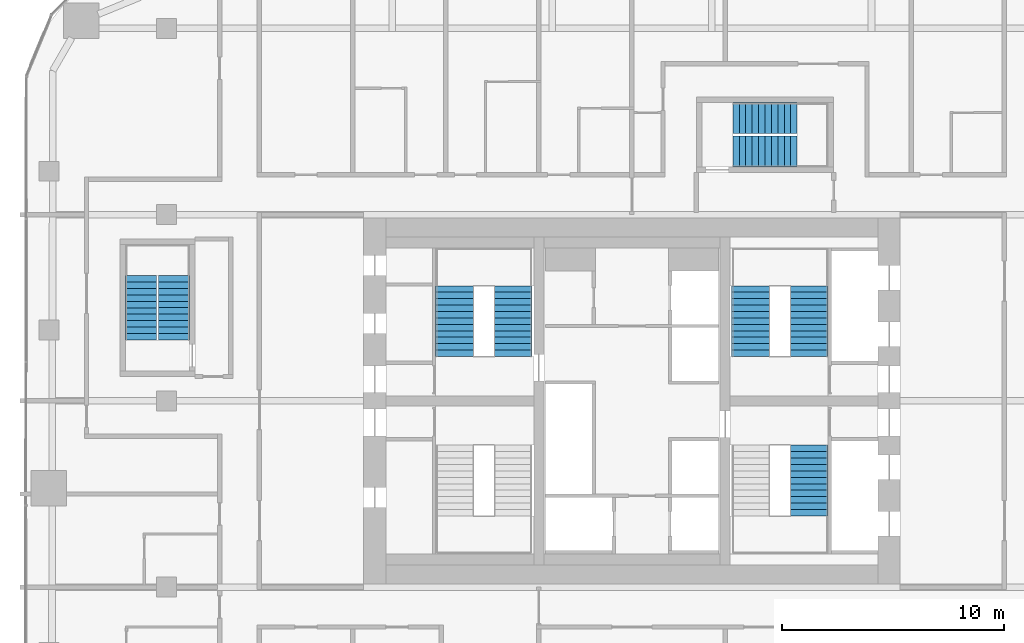
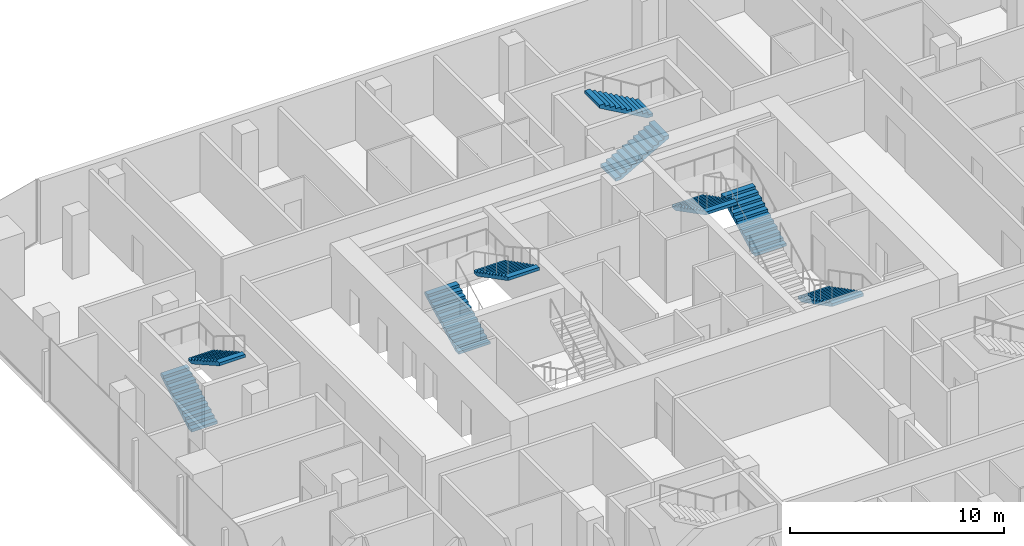
# One storey, part 21 of 23: 9 stair flights, 5 elements without a shape of their own.
"""IFC4 building model written with IfcOpenShell, lengths in metres."""

from ifc_helpers import new_model, si_unit, direction, frame, origin, place, context, subcontext, project, spatial, polyline, outline, extrude, material, type_object, element, aggregate, save


model = new_model("IFC4")

# Units and contexts
model_context = context("Model", 3, precision=1e-05, world=origin(), true_north=direction((0.0, 1.0)))
body_context = subcontext(model_context, "Body", "Model", "MODEL_VIEW")
ifc_project = project(units=[si_unit("LENGTHUNIT", "METRE"), si_unit("AREAUNIT", "SQUARE_METRE"), si_unit("VOLUMEUNIT", "CUBIC_METRE"), si_unit("PLANEANGLEUNIT", "RADIAN"), si_unit("MASSUNIT", "GRAM", prefix="KILO")], contexts=[model_context])

# Site, building, storey
site_placement = place(None, origin())
site = spatial("IfcSite", under=ifc_project, at=site_placement, CompositionType="ELEMENT")
building_placement = place(site_placement, origin())
building = spatial("IfcBuilding", under=site, at=building_placement, Name="Marenta Gate Hotel Tower", CompositionType="ELEMENT")
storey_placement = place(building_placement, frame((0.0, 0.0, 104.89990234375)))
storey = spatial("IfcBuildingStorey", under=building, at=storey_placement, Name="L22", CompositionType="ELEMENT", Elevation=104.89990234375)

# Stair, stair flights
ifc_material_1 = material(Name="Concrete C40", Category="concrete")
stair_type_1 = type_object("IfcStairType", Name="Core exit stair 1700 wide", PredefinedType="HALF_TURN_STAIR", material=ifc_material_1)
stair_1_placement = place(storey_placement, origin())
stair_1 = element("IfcStair", 1, at=stair_1_placement, inside=storey, type_object=stair_type_1, Name="Exit stair 2", PredefinedType="HALF_TURN_STAIR")
ifc_material_2 = material(Name="Concrete C40", Category="concrete")
stair_flight_type_1 = type_object("IfcStairFlightType", Name="Core stair flight 1700 riser 150.0 going 290", PredefinedType="STRAIGHT", material=ifc_material_2)
stair_flight_1_placement = place(storey_placement, frame((-8.0, 10.39990234375, 0.0), z_axis=(0.0, 0.0, 1.0), x_axis=(0.0, 1.0, 0.0)))
stair_flight_1 = element("IfcStairFlight", 2, at=stair_flight_1_placement, type_object=stair_flight_type_1, Name="ST2 flight 1", NumberOfRisers=12, NumberOfTreads=11, PredefinedType="STRAIGHT", RiserHeight=0.15, TreadLength=0.29, context=body_context, shape_type="SweptSolid", body=[
    extrude(outline(polyline([(0.0, 0.0), (0.0, 0.14990234375), (0.2900390625, 0.14990234375), (0.2900390625, 0.300048828125), (0.580078125, 0.300048828125), (0.580078125, 0.449951171875), (0.8701171875, 0.449951171875), (0.8701171875, 0.60009765625), (1.159912109375, 0.60009765625), (1.159912109375, 0.75), (1.449951171875, 0.75), (1.449951171875, 0.89990234375), (1.739990234375, 0.89990234375), (1.739990234375, 1.050048828125), (2.030029296875, 1.050048828125), (2.030029296875, 1.199951171875), (2.320068359375, 1.199951171875), (2.320068359375, 1.35009765625), (2.610107421875, 1.35009765625), (2.610107421875, 1.5), (2.89990234375, 1.5), (2.89990234375, 1.64990234375), (3.18994140625, 1.64990234375), (3.18994140625, 1.800048828125), (3.18994140625, 1.481201171875), (0.326171875, 0.0), (0.0, 0.0)])), frame((0.0, 0.85009765625, 0.0), z_axis=(0.0, -1.0, 0.0), x_axis=(1.0, 0.0, 0.0)), (0.0, 0.0, 1.0), 1.699951171875),
])
stair_flight_2_placement = place(storey_placement, frame((-5.35009765625, 13.590087890625, 1.800048828125), z_axis=(0.0, 0.0, 1.0), x_axis=(0.0, -1.0, 0.0)))
stair_flight_2 = element("IfcStairFlight", 3, at=stair_flight_2_placement, type_object=stair_flight_type_1, Name="ST2 flight 2", NumberOfRisers=12, NumberOfTreads=11, PredefinedType="STRAIGHT", RiserHeight=0.15, TreadLength=0.29, context=body_context, shape_type="SweptSolid", body=[
    extrude(outline(polyline([(0.0, 0.0), (0.0, 0.14990234375), (0.2900390625, 0.14990234375), (0.2900390625, 0.300048828125), (0.580078125, 0.300048828125), (0.580078125, 0.449951171875), (0.8701171875, 0.449951171875), (0.8701171875, 0.60009765625), (1.159912109375, 0.60009765625), (1.159912109375, 0.75), (1.449951171875, 0.75), (1.449951171875, 0.89990234375), (1.739990234375, 0.89990234375), (1.739990234375, 1.050048828125), (2.030029296875, 1.050048828125), (2.030029296875, 1.199951171875), (2.320068359375, 1.199951171875), (2.320068359375, 1.35009765625), (2.610107421875, 1.35009765625), (2.610107421875, 1.5), (2.89990234375, 1.5), (2.89990234375, 1.64990234375), (3.18994140625, 1.64990234375), (3.18994140625, 1.800048828125), (3.18994140625, 1.481201171875), (0.326171875, 0.0), (0.0, 0.0)])), frame((0.0, 0.85009765625, 0.0), z_axis=(0.0, -1.0, 0.0), x_axis=(1.0, 0.0, 0.0)), (0.0, 0.0, 1.0), 1.699951171875),
])
aggregate(stair_1, [stair_flight_1, stair_flight_2])

# Stair, stair flight
stair_2_placement = place(storey_placement, origin())
stair_2 = element("IfcStair", 4, at=stair_2_placement, inside=storey, type_object=stair_type_1, Name="Exit stair 3", PredefinedType="HALF_TURN_STAIR")
stair_flight_3_placement = place(storey_placement, frame((8.0, 6.39990234375, 0.0), z_axis=(0.0, 0.0, 1.0), x_axis=(0.0, -1.0, 0.0)))
stair_flight_3 = element("IfcStairFlight", 5, at=stair_flight_3_placement, type_object=stair_flight_type_1, Name="ST3 flight 1", NumberOfRisers=12, NumberOfTreads=11, PredefinedType="STRAIGHT", RiserHeight=0.15, TreadLength=0.29, context=body_context, shape_type="SweptSolid", body=[
    extrude(outline(polyline([(0.0, 0.0), (0.0, 0.14990234375), (0.2900390625, 0.14990234375), (0.2900390625, 0.300048828125), (0.580078125, 0.300048828125), (0.580078125, 0.449951171875), (0.8701171875, 0.449951171875), (0.8701171875, 0.60009765625), (1.159912109375, 0.60009765625), (1.159912109375, 0.75), (1.449951171875, 0.75), (1.449951171875, 0.89990234375), (1.739990234375, 0.89990234375), (1.739990234375, 1.050048828125), (2.030029296875, 1.050048828125), (2.030029296875, 1.199951171875), (2.320068359375, 1.199951171875), (2.320068359375, 1.35009765625), (2.610107421875, 1.35009765625), (2.610107421875, 1.5), (2.89990234375, 1.5), (2.89990234375, 1.64990234375), (3.18994140625, 1.64990234375), (3.18994140625, 1.800048828125), (3.18994140625, 1.481201171875), (0.326171875, 0.0), (0.0, 0.0)])), frame((0.0, 0.85009765625, 0.0), z_axis=(0.0, -1.0, 0.0), x_axis=(1.0, 0.0, 0.0)), (0.0, 0.0, 1.0), 1.699951171875),
])
aggregate(stair_2, [stair_flight_3])

# Stair, stair flights
stair_3_placement = place(storey_placement, origin())
stair_3 = element("IfcStair", 6, at=stair_3_placement, inside=storey, type_object=stair_type_1, Name="Exit stair 4", PredefinedType="HALF_TURN_STAIR")
stair_flight_4_placement = place(storey_placement, frame((8.0, 10.39990234375, 0.0), z_axis=(0.0, 0.0, 1.0), x_axis=(0.0, 1.0, 0.0)))
stair_flight_4 = element("IfcStairFlight", 7, at=stair_flight_4_placement, type_object=stair_flight_type_1, Name="ST4 flight 1", NumberOfRisers=12, NumberOfTreads=11, PredefinedType="STRAIGHT", RiserHeight=0.15, TreadLength=0.29, context=body_context, shape_type="SweptSolid", body=[
    extrude(outline(polyline([(0.0, 0.0), (0.0, 0.14990234375), (0.2900390625, 0.14990234375), (0.2900390625, 0.300048828125), (0.580078125, 0.300048828125), (0.580078125, 0.449951171875), (0.8701171875, 0.449951171875), (0.8701171875, 0.60009765625), (1.159912109375, 0.60009765625), (1.159912109375, 0.75), (1.449951171875, 0.75), (1.449951171875, 0.89990234375), (1.739990234375, 0.89990234375), (1.739990234375, 1.050048828125), (2.030029296875, 1.050048828125), (2.030029296875, 1.199951171875), (2.320068359375, 1.199951171875), (2.320068359375, 1.35009765625), (2.610107421875, 1.35009765625), (2.610107421875, 1.5), (2.89990234375, 1.5), (2.89990234375, 1.64990234375), (3.18994140625, 1.64990234375), (3.18994140625, 1.800048828125), (3.18994140625, 1.481201171875), (0.326171875, 0.0), (0.0, 0.0)])), frame((0.0, 0.85009765625, 0.0), z_axis=(0.0, -1.0, 0.0), x_axis=(1.0, 0.0, 0.0)), (0.0, 0.0, 1.0), 1.699951171875),
])
stair_flight_5_placement = place(storey_placement, frame((5.35009765625, 13.590087890625, 1.800048828125), z_axis=(0.0, 0.0, 1.0), x_axis=(0.0, -1.0, 0.0)))
stair_flight_5 = element("IfcStairFlight", 8, at=stair_flight_5_placement, type_object=stair_flight_type_1, Name="ST4 flight 2", NumberOfRisers=12, NumberOfTreads=11, PredefinedType="STRAIGHT", RiserHeight=0.15, TreadLength=0.29, context=body_context, shape_type="SweptSolid", body=[
    extrude(outline(polyline([(0.0, 0.0), (0.0, 0.14990234375), (0.2900390625, 0.14990234375), (0.2900390625, 0.300048828125), (0.580078125, 0.300048828125), (0.580078125, 0.449951171875), (0.8701171875, 0.449951171875), (0.8701171875, 0.60009765625), (1.159912109375, 0.60009765625), (1.159912109375, 0.75), (1.449951171875, 0.75), (1.449951171875, 0.89990234375), (1.739990234375, 0.89990234375), (1.739990234375, 1.050048828125), (2.030029296875, 1.050048828125), (2.030029296875, 1.199951171875), (2.320068359375, 1.199951171875), (2.320068359375, 1.35009765625), (2.610107421875, 1.35009765625), (2.610107421875, 1.5), (2.89990234375, 1.5), (2.89990234375, 1.64990234375), (3.18994140625, 1.64990234375), (3.18994140625, 1.800048828125), (3.18994140625, 1.481201171875), (0.326171875, 0.0), (0.0, 0.0)])), frame((0.0, 0.85009765625, 0.0), z_axis=(0.0, -1.0, 0.0), x_axis=(1.0, 0.0, 0.0)), (0.0, 0.0, 1.0), 1.699951171875),
])
aggregate(stair_3, [stair_flight_4, stair_flight_5])

ifc_material_3 = material(Name="Concrete C40", Category="concrete")
stair_type_2 = type_object("IfcStairType", Name="Remote exit stair 1400 wide", PredefinedType="HALF_TURN_STAIR", material=ifc_material_3)
stair_4_placement = place(storey_placement, origin())
stair_4 = element("IfcStair", 9, at=stair_4_placement, inside=storey, type_object=stair_type_2, Name="Exit stair RS-Z1-3", PredefinedType="HALF_TURN_STAIR")
ifc_material_4 = material(Name="Concrete C40", Category="concrete")
stair_flight_type_2 = type_object("IfcStairFlightType", Name="Remote stair flight 1400 riser 163.6 going 290", PredefinedType="STRAIGHT", material=ifc_material_4)
stair_flight_6_placement = place(storey_placement, frame((-22.14990234375, 11.14990234375, 0.0), z_axis=(0.0, 0.0, 1.0), x_axis=(0.0, 1.0, 0.0)))
stair_flight_6 = element("IfcStairFlight", 10, at=stair_flight_6_placement, type_object=stair_flight_type_2, Name="RS-Z1-3 flight 1", NumberOfRisers=11, NumberOfTreads=10, PredefinedType="STRAIGHT", RiserHeight=0.163636, TreadLength=0.29, context=body_context, shape_type="SweptSolid", body=[
    extrude(outline(polyline([(0.0, 0.0), (0.0, 0.16357421875), (0.2900390625, 0.16357421875), (0.2900390625, 0.327392578125), (0.580078125, 0.327392578125), (0.580078125, 0.490966796875), (0.8701171875, 0.490966796875), (0.8701171875, 0.654541015625), (1.159912109375, 0.654541015625), (1.159912109375, 0.818115234375), (1.449951171875, 0.818115234375), (1.449951171875, 0.98193359375), (1.739990234375, 0.98193359375), (1.739990234375, 1.1455078125), (2.030029296875, 1.1455078125), (2.030029296875, 1.30908203125), (2.320068359375, 1.30908203125), (2.320068359375, 1.47265625), (2.610107421875, 1.47265625), (2.610107421875, 1.636474609375), (2.89990234375, 1.636474609375), (2.89990234375, 1.800048828125), (2.89990234375, 1.46435546875), (0.304931640625, 0.0), (0.0, 0.0)])), frame((0.0, 0.699951171875, 0.0), z_axis=(0.0, -1.0, 0.0), x_axis=(1.0, 0.0, 0.0)), (0.0, 0.0, 1.0), 1.39990234375),
])
stair_flight_7_placement = place(storey_placement, frame((-20.64990234375, 14.050048828125, 1.800048828125), z_axis=(0.0, 0.0, 1.0), x_axis=(0.0, -1.0, 0.0)))
stair_flight_7 = element("IfcStairFlight", 11, at=stair_flight_7_placement, type_object=stair_flight_type_2, Name="RS-Z1-3 flight 2", NumberOfRisers=11, NumberOfTreads=10, PredefinedType="STRAIGHT", RiserHeight=0.163636, TreadLength=0.29, context=body_context, shape_type="SweptSolid", body=[
    extrude(outline(polyline([(0.0, 0.0), (0.0, 0.16357421875), (0.2900390625, 0.16357421875), (0.2900390625, 0.327392578125), (0.580078125, 0.327392578125), (0.580078125, 0.490966796875), (0.8701171875, 0.490966796875), (0.8701171875, 0.654541015625), (1.159912109375, 0.654541015625), (1.159912109375, 0.818115234375), (1.449951171875, 0.818115234375), (1.449951171875, 0.98193359375), (1.739990234375, 0.98193359375), (1.739990234375, 1.1455078125), (2.030029296875, 1.1455078125), (2.030029296875, 1.30908203125), (2.320068359375, 1.30908203125), (2.320068359375, 1.47265625), (2.610107421875, 1.47265625), (2.610107421875, 1.636474609375), (2.89990234375, 1.636474609375), (2.89990234375, 1.800048828125), (2.89990234375, 1.46435546875), (0.304931640625, 0.0), (0.0, 0.0)])), frame((0.0, 0.699951171875, 0.0), z_axis=(0.0, -1.0, 0.0), x_axis=(1.0, 0.0, 0.0)), (0.0, 0.0, 1.0), 1.39990234375),
])
aggregate(stair_4, [stair_flight_6, stair_flight_7])

stair_5_placement = place(storey_placement, origin())
stair_5 = element("IfcStair", 12, at=stair_5_placement, inside=storey, type_object=stair_type_2, Name="Exit stair RS-Z2-4", PredefinedType="HALF_TURN_STAIR")
stair_flight_8_placement = place(storey_placement, frame((4.550048828125, 19.64990234375, 0.0), z_axis=(0.0, 0.0, 1.0), x_axis=(1.0, 0.0, 0.0)))
stair_flight_8 = element("IfcStairFlight", 13, at=stair_flight_8_placement, type_object=stair_flight_type_2, Name="RS-Z2-4 flight 1", NumberOfRisers=11, NumberOfTreads=10, PredefinedType="STRAIGHT", RiserHeight=0.163636, TreadLength=0.29, context=body_context, shape_type="SweptSolid", body=[
    extrude(outline(polyline([(0.0, 0.0), (0.0, 0.16357421875), (0.2900390625, 0.16357421875), (0.2900390625, 0.327392578125), (0.580078125, 0.327392578125), (0.580078125, 0.490966796875), (0.8701171875, 0.490966796875), (0.8701171875, 0.654541015625), (1.159912109375, 0.654541015625), (1.159912109375, 0.818115234375), (1.449951171875, 0.818115234375), (1.449951171875, 0.98193359375), (1.739990234375, 0.98193359375), (1.739990234375, 1.1455078125), (2.030029296875, 1.1455078125), (2.030029296875, 1.30908203125), (2.320068359375, 1.30908203125), (2.320068359375, 1.47265625), (2.610107421875, 1.47265625), (2.610107421875, 1.636474609375), (2.89990234375, 1.636474609375), (2.89990234375, 1.800048828125), (2.89990234375, 1.46435546875), (0.304931640625, 0.0), (0.0, 0.0)])), frame((0.0, 0.699951171875, 0.0), z_axis=(0.0, -1.0, 0.0), x_axis=(1.0, 0.0, 0.0)), (0.0, 0.0, 1.0), 1.39990234375),
])
stair_flight_9_placement = place(storey_placement, frame((7.449951171875, 21.14990234375, 1.800048828125), z_axis=(0.0, 0.0, 1.0), x_axis=(-1.0, 0.0, 0.0)))
stair_flight_9 = element("IfcStairFlight", 14, at=stair_flight_9_placement, type_object=stair_flight_type_2, Name="RS-Z2-4 flight 2", NumberOfRisers=11, NumberOfTreads=10, PredefinedType="STRAIGHT", RiserHeight=0.163636, TreadLength=0.29, context=body_context, shape_type="SweptSolid", body=[
    extrude(outline(polyline([(0.0, 0.0), (0.0, 0.16357421875), (0.2900390625, 0.16357421875), (0.2900390625, 0.327392578125), (0.580078125, 0.327392578125), (0.580078125, 0.490966796875), (0.8701171875, 0.490966796875), (0.8701171875, 0.654541015625), (1.159912109375, 0.654541015625), (1.159912109375, 0.818115234375), (1.449951171875, 0.818115234375), (1.449951171875, 0.98193359375), (1.739990234375, 0.98193359375), (1.739990234375, 1.1455078125), (2.030029296875, 1.1455078125), (2.030029296875, 1.30908203125), (2.320068359375, 1.30908203125), (2.320068359375, 1.47265625), (2.610107421875, 1.47265625), (2.610107421875, 1.636474609375), (2.89990234375, 1.636474609375), (2.89990234375, 1.800048828125), (2.89990234375, 1.46435546875), (0.304931640625, 0.0), (0.0, 0.0)])), frame((0.0, 0.699951171875, 0.0), z_axis=(0.0, -1.0, 0.0), x_axis=(1.0, 0.0, 0.0)), (0.0, 0.0, 1.0), 1.39990234375),
])
aggregate(stair_5, [stair_flight_8, stair_flight_9])

save(model, "model.ifc")
